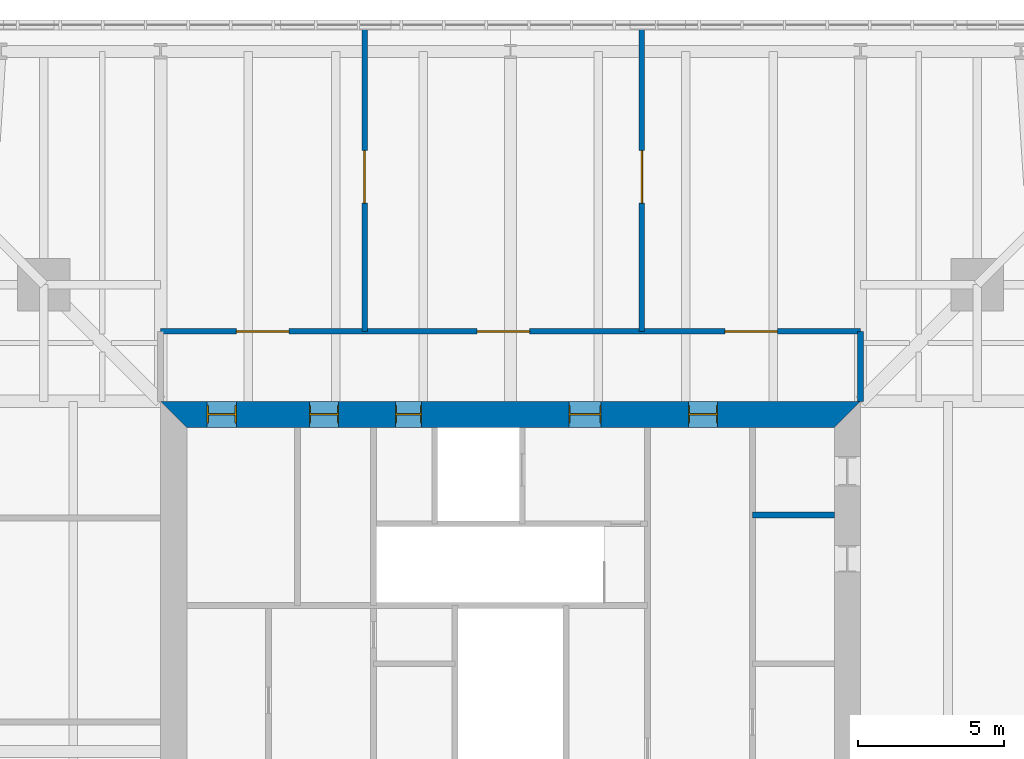
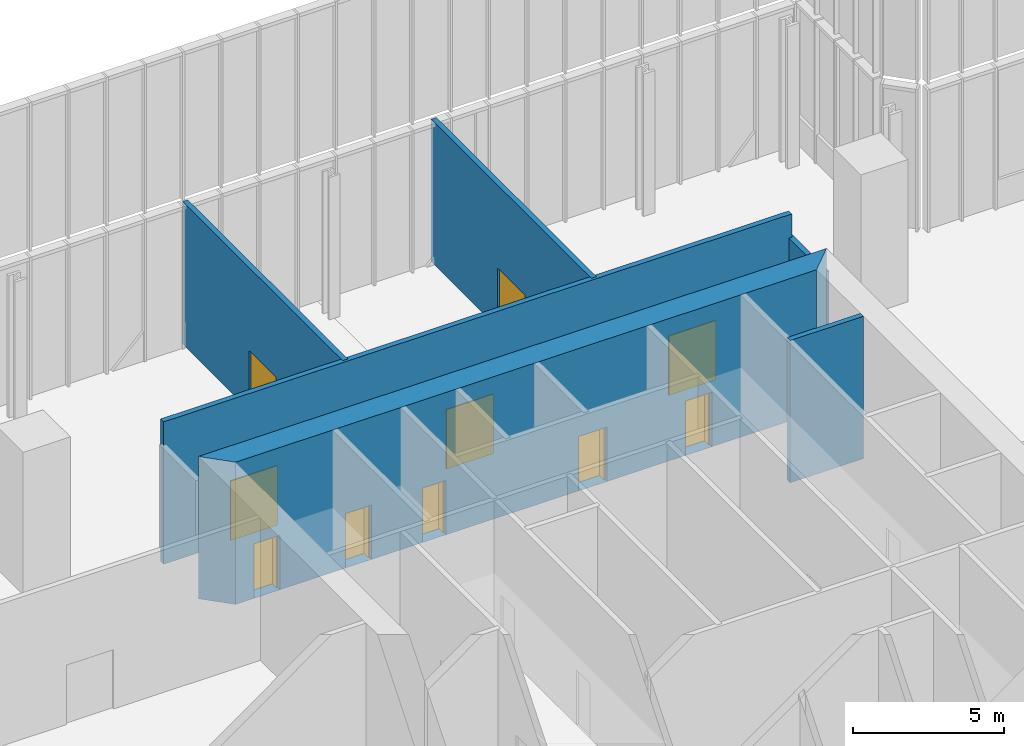
# One storey, part 19 of 25: 10 doors, 6 walls, 10 openings.
"""IFC4 building model written with IfcOpenShell, lengths in metres."""

import ifcopenshell
import ifcopenshell.guid

model = None  # the IFC model being written
_history = None  # IfcOwnerHistory: only IFC2X3 demands one
_inside = {}  # id of a spatial element -> (the spatial element, [elements in it])
_under = {}  # id of a project, library or spatial element -> (it, [spatial elements below it])
_declared = {}  # id of a project -> (the project, [libraries it declares])
_typed = {}  # id of a type object -> (the type object, [elements of that type])
_made_of = {}  # id of a material, layer set ... -> (it, [elements and type objects made of it])


def new_model(schema):
    """Start an empty IFC model of exactly this schema.

    Asked for "IFC4X3", IfcOpenShell would pick the latest addendum, in which some entities
    have other attributes; the version numbers below select the first issue.
    IFC2X3 requires an IfcOwnerHistory on every rooted entity: one is made here for all.
    """
    global model, _history
    if schema == "IFC4X3":
        model = ifcopenshell.file(schema_version=(4, 3, 0, 0))
    else:
        model = ifcopenshell.file(schema=schema)
    _inside.clear()
    _under.clear()
    _declared.clear()
    _typed.clear()
    _made_of.clear()
    _history = None
    if model.schema == "IFC2X3":
        org = make("IfcOrganization", Name="unknown")
        user = make(
            "IfcPersonAndOrganization",
            ThePerson=make("IfcPerson", FamilyName="unknown"),
            TheOrganization=org,
        )
        app = make(
            "IfcApplication",
            ApplicationDeveloper=org,
            Version="unknown",
            ApplicationFullName="unknown",
            ApplicationIdentifier="unknown",
        )
        _history = make(
            "IfcOwnerHistory",
            OwningUser=user,
            OwningApplication=app,
            ChangeAction="ADDED",
            CreationDate=0,
        )
    return model


def make(cls, **values):
    """One entity of the class cls with the attributes given. An attribute that is None is left unset."""
    return model.create_entity(
        cls, **{name: value for name, value in values.items() if value is not None}
    )


def rooted(cls, **values):
    """An entity with a GlobalId (a new one), such as an element, a storey or a relation."""
    return make(cls, GlobalId=ifcopenshell.guid.new(), OwnerHistory=_history, **values)


def si_unit(unit_type, name, prefix=None):
    """IfcSIUnit, for example si_unit("LENGTHUNIT", "METRE", prefix="MILLI")."""
    return make("IfcSIUnit", UnitType=unit_type, Prefix=prefix, Name=name)


def assignment(units):
    """IfcUnitAssignment: the units of a project."""
    return None if units is None else make("IfcUnitAssignment", Units=units)


def point(xyz):
    """IfcCartesianPoint."""
    return None if xyz is None else make("IfcCartesianPoint", Coordinates=xyz)


def direction(xyz):
    """IfcDirection."""
    return None if xyz is None else make("IfcDirection", DirectionRatios=xyz)


def frame(location, z_axis=None, x_axis=None):
    """IfcAxis2Placement3D, a coordinate frame: its origin and axes. An axis left out is left unset."""
    return make(
        "IfcAxis2Placement3D",
        Location=point(location),
        Axis=direction(z_axis),
        RefDirection=direction(x_axis),
    )


def frame_2d(location, x_axis=None):
    """IfcAxis2Placement2D, a coordinate frame in the plane: its origin and x axis."""
    return make(
        "IfcAxis2Placement2D", Location=point(location), RefDirection=direction(x_axis)
    )


def origin():
    """The frame at (0, 0, 0) with its axes left unset."""
    return frame((0.0, 0.0, 0.0))


def place(relative_to, where):
    """IfcLocalPlacement: puts the frame where relative to a parent placement (None: the world)."""
    return make(
        "IfcLocalPlacement", PlacementRelTo=relative_to, RelativePlacement=where
    )


def context(
    kind, dimensions, precision=None, world=None, true_north=None, identifier=None
):
    """IfcGeometricRepresentationContext, for example the 3D "Model" context."""
    return make(
        "IfcGeometricRepresentationContext",
        ContextIdentifier=identifier,
        ContextType=kind,
        CoordinateSpaceDimension=dimensions,
        Precision=precision,
        WorldCoordinateSystem=world,
        TrueNorth=true_north,
    )


def subcontext(parent, identifier, kind, view, scale=None):
    """IfcGeometricRepresentationSubContext, for example "Body" below "Model"."""
    return make(
        "IfcGeometricRepresentationSubContext",
        ContextIdentifier=identifier,
        ContextType=kind,
        ParentContext=parent,
        TargetScale=scale,
        TargetView=view,
    )


def project(units=None, contexts=None):
    """IfcProject with its units and contexts."""
    return rooted(
        "IfcProject",
        Name="project",
        RepresentationContexts=contexts,
        UnitsInContext=assignment(units),
    )


def spatial(cls, under=None, at=None, **own):
    """A site, building, storey or space (cls), placed at a placement, below another one or the project."""
    s = rooted(cls, ObjectPlacement=at, **own)
    if under is not None:
        _under.setdefault(under.id(), (under, []))[1].append(s)
    return s


def polyline(points):
    """IfcPolyline through the points."""
    return make("IfcPolyline", Points=[point(p) for p in points])


def profile(cls, at=None, kind="AREA", **sizes):
    """A parametric profile (cls). Its sizes go by their IFC names, for example OverallWidth=200.0."""
    return make(cls, ProfileType=kind, Position=at, **sizes)


def rectangle(**sizes):
    """IfcRectangleProfileDef."""
    return profile("IfcRectangleProfileDef", **sizes)


def outline(outer, holes=None, kind="AREA"):
    """IfcArbitraryClosedProfileDef: a profile drawn as a closed curve; with holes, ...WithVoids."""
    if holes is None:
        return make("IfcArbitraryClosedProfileDef", ProfileType=kind, OuterCurve=outer)
    return make(
        "IfcArbitraryProfileDefWithVoids",
        ProfileType=kind,
        OuterCurve=outer,
        InnerCurves=holes,
    )


def extrude(swept, where, along, depth):
    """IfcExtrudedAreaSolid: the profile swept, set in the frame where, extruded along a direction by depth."""
    return make(
        "IfcExtrudedAreaSolid",
        SweptArea=swept,
        Position=where,
        ExtrudedDirection=direction(along),
        Depth=depth,
    )


def shape(context_of_items, identifier, shape_type, items):
    """IfcShapeRepresentation: the items that make up one representation, for example the "Body"."""
    return make(
        "IfcShapeRepresentation",
        ContextOfItems=context_of_items,
        RepresentationIdentifier=identifier,
        RepresentationType=shape_type,
        Items=items,
    )


def material(Name=None, Category=None):
    """IfcMaterial."""
    return make("IfcMaterial", Name=Name, Category=Category)


def layer(
    of_material, thickness, ventilated=None, Name=None, Category=None, Priority=None
):
    """IfcMaterialLayer: one layer of a wall or slab, of a material (None: an air gap)."""
    return make(
        "IfcMaterialLayer",
        Material=of_material,
        LayerThickness=thickness,
        IsVentilated=ventilated,
        Name=Name,
        Category=Category,
        Priority=Priority,
    )


def layer_set(layers, Name=None):
    """IfcMaterialLayerSet."""
    return make("IfcMaterialLayerSet", MaterialLayers=layers, LayerSetName=Name)


def made_of(thing, what):
    """Note that an element or type object is made of a material, layer set ...; save() writes the relation."""
    if what is not None:
        _made_of.setdefault(what.id(), (what, []))[1].append(thing)
    return thing


def type_object(cls, material=None, **own):
    """A type object (cls), such as IfcWallType, which elements share."""
    return made_of(rooted(cls, **own), material)


def element(
    cls,
    number,
    at=None,
    inside=None,
    cuts=None,
    type_object=None,
    material=None,
    context=None,
    identifier="Body",
    shape_type=None,
    held_by="IfcProductDefinitionShape",
    body=None,
    shapes=None,
    **own,
):
    """One element of the class cls, such as IfcWall. Its Tag is "e" and its number.

    at: its placement. inside: the storey or other place that contains it. cuts: it is an
    opening in that element (IfcRelVoidsElement). A single representation is given by context,
    identifier, shape_type and body (its items); several are given by shapes. held_by: the class
    of the entity that holds the representations. save() writes the other relations.
    """
    e = rooted(cls, Tag="e%d" % number, ObjectPlacement=at, **own)
    if body is not None:
        shapes = [shape(context, identifier, shape_type, body)]
    if shapes is not None:
        e.Representation = make(held_by, Representations=shapes)
    if inside is not None:
        _inside.setdefault(inside.id(), (inside, []))[1].append(e)
    if cuts is not None:
        rooted(
            "IfcRelVoidsElement", RelatingBuildingElement=cuts, RelatedOpeningElement=e
        )
    if type_object is not None:
        _typed.setdefault(type_object.id(), (type_object, []))[1].append(e)
    return made_of(e, material)


def fill(opening, filler):
    """IfcRelFillsElement: the door or window that sits in an opening."""
    return rooted(
        "IfcRelFillsElement",
        RelatingOpeningElement=opening,
        RelatedBuildingElement=filler,
    )


def aggregate(whole, parts):
    """IfcRelAggregates: a whole, such as a stair, and the parts it consists of."""
    return rooted("IfcRelAggregates", RelatingObject=whole, RelatedObjects=parts)


def save(model, path):
    """Write the relations noted so far, then the file.

    IfcRelAggregates (storeys below a building ...), IfcRelContainedInSpatialStructure (elements
    in a storey), IfcRelDefinesByType, IfcRelAssociatesMaterial and IfcRelDeclares: one each for
    every whole, place, type object, material and project.
    """
    for whole, parts in _under.values():
        aggregate(whole, parts)
    for where, things in _inside.values():
        rooted(
            "IfcRelContainedInSpatialStructure",
            RelatedElements=things,
            RelatingStructure=where,
        )
    for kind, things in _typed.values():
        rooted("IfcRelDefinesByType", RelatedObjects=things, RelatingType=kind)
    for what, things in _made_of.values():
        rooted("IfcRelAssociatesMaterial", RelatedObjects=things, RelatingMaterial=what)
    for by, libraries in _declared.values():
        rooted("IfcRelDeclares", RelatingContext=by, RelatedDefinitions=libraries)
    model.write(path)


model = new_model("IFC4")

# Units and contexts
model_context = context("Model", 3, precision=1e-05, world=origin(), true_north=direction((0.0, 1.0)))
body_context = subcontext(model_context, "Body", "Model", "MODEL_VIEW")
ifc_project = project(units=[si_unit("LENGTHUNIT", "METRE"), si_unit("AREAUNIT", "SQUARE_METRE"), si_unit("VOLUMEUNIT", "CUBIC_METRE"), si_unit("PLANEANGLEUNIT", "RADIAN"), si_unit("MASSUNIT", "GRAM", prefix="KILO")], contexts=[model_context])

# Site, building, storey
site_placement = place(None, origin())
site = spatial("IfcSite", under=ifc_project, at=site_placement, CompositionType="ELEMENT")
building_placement = place(site_placement, origin())
building = spatial("IfcBuilding", under=site, at=building_placement, Name="Fenwick Lantern Interchange", CompositionType="ELEMENT")
storey_placement = place(building_placement, frame((0.0, 0.0, 307.800048828125)))
storey = spatial("IfcBuildingStorey", under=building, at=storey_placement, Name="L74", CompositionType="ELEMENT", Elevation=307.800048828125)

# Wall
ifc_material_1 = material(Name="Concrete masonry ASTM C90 Grade N", Category="masonry")
ifc_layer_1 = layer(ifc_material_1, 0.199951171875)
ifc_layer_set_1 = layer_set([ifc_layer_1], Name="Concrete masonry ASTM C90 Grade N")
wall_type_1 = type_object("IfcWallType", Name="CORE PARTITION 200", PredefinedType="PARTITIONING", material=ifc_layer_set_1)
wall_1_placement = place(storey_placement, frame((36.10009765625, 33.10009765625, 0.0), z_axis=(0.0, 0.0, 1.0), x_axis=(-1.0, 0.0, 0.0)))
element("IfcWall", 1, at=wall_1_placement, inside=storey, type_object=wall_type_1, Name="L74/W/COREN/p1", PredefinedType="PARTITIONING", context=body_context, shape_type="SweptSolid", body=[
    extrude(rectangle(XDim=2.800048828125, YDim=0.199951171875, at=frame_2d((1.39990234375, 0.0))), origin(), (0.0, 0.0, 1.0), 5.75),
])

# Wall, openings, doors
ifc_material_2 = material(Name="Concrete f'c 70 MPa", Category="concrete")
ifc_layer_2 = layer(ifc_material_2, 0.89990234375)
ifc_layer_set_2 = layer_set([ifc_layer_2], Name="CORE WALL 900")
wall_type_2 = type_object("IfcWallType", Name="CORE WALL 900", PredefinedType="SHEAR", material=ifc_layer_set_2)
wall_2_placement = place(storey_placement, frame((37.0, 36.550048828125, 0.0), z_axis=(0.0, 0.0, 1.0), x_axis=(-1.0, 0.0, 0.0)))
wall_2 = element("IfcWall", 2, at=wall_2_placement, inside=storey, type_object=wall_type_2, Name="L74/CORE/N", PredefinedType="SHEAR", context=body_context, shape_type="SweptSolid", body=[
    extrude(outline(polyline([(0.0, -0.449951171875), (24.0, -0.449951171875), (23.10009765625, 0.449951171875), (0.89990234375, 0.449951171875), (0.0, -0.449951171875)])), origin(), (0.0, 0.0, 1.0), 5.75),
])
opening_1_placement = place(wall_2_placement, frame((4.89990234375, 0.0, 0.0)))
opening_1 = element("IfcOpeningElement", 3, at=opening_1_placement, cuts=wall_2, Name="Opening L74-D013", PredefinedType="OPENING", context=body_context, shape_type="SweptSolid", body=[
    extrude(rectangle(XDim=1.0, YDim=2.199951171875, at=frame_2d((0.5, 1.10009765625))), frame((0.0, 0.4599609375, 0.0), z_axis=(0.0, -1.0, 0.0), x_axis=(1.0, 0.0, 0.0)), (0.0, 0.0, 1.0), 0.919921875),
])
opening_2_placement = place(wall_2_placement, frame((8.89990234375, 0.0, 0.0)))
opening_2 = element("IfcOpeningElement", 4, at=opening_2_placement, cuts=wall_2, Name="Opening L74-D014", PredefinedType="OPENING", context=body_context, shape_type="SweptSolid", body=[
    extrude(rectangle(XDim=1.10009765625, YDim=2.199951171875, at=frame_2d((0.550048828125, 1.10009765625))), frame((0.0, 0.4599609375, 0.0), z_axis=(0.0, -1.0, 0.0), x_axis=(1.0, 0.0, 0.0)), (0.0, 0.0, 1.0), 0.919921875),
])
opening_3_placement = place(wall_2_placement, frame((15.050048828125, 0.0, 0.0)))
opening_3 = element("IfcOpeningElement", 5, at=opening_3_placement, cuts=wall_2, Name="Opening L74-D016", PredefinedType="OPENING", context=body_context, shape_type="SweptSolid", body=[
    extrude(rectangle(XDim=0.89990234375, YDim=2.199951171875, at=frame_2d((0.449951171875, 1.10009765625))), frame((0.0, 0.4599609375, 0.0), z_axis=(0.0, -1.0, 0.0), x_axis=(1.0, 0.0, 0.0)), (0.0, 0.0, 1.0), 0.919921875),
])
opening_4_placement = place(wall_2_placement, frame((17.89990234375, 0.0, 0.0)))
opening_4 = element("IfcOpeningElement", 6, at=opening_4_placement, cuts=wall_2, Name="Opening L74-D017", PredefinedType="OPENING", context=body_context, shape_type="SweptSolid", body=[
    extrude(rectangle(XDim=1.0, YDim=2.199951171875, at=frame_2d((0.5, 1.10009765625))), frame((0.0, 0.4599609375, 0.0), z_axis=(0.0, -1.0, 0.0), x_axis=(1.0, 0.0, 0.0)), (0.0, 0.0, 1.0), 0.919921875),
])
opening_5_placement = place(wall_2_placement, frame((21.39990234375, 0.0, 0.0)))
opening_5 = element("IfcOpeningElement", 7, at=opening_5_placement, cuts=wall_2, Name="Opening L74-D018", PredefinedType="OPENING", context=body_context, shape_type="SweptSolid", body=[
    extrude(rectangle(XDim=1.0, YDim=2.199951171875, at=frame_2d((0.5, 1.10009765625))), frame((0.0, 0.4599609375, 0.0), z_axis=(0.0, -1.0, 0.0), x_axis=(1.0, 0.0, 0.0)), (0.0, 0.0, 1.0), 0.919921875),
])
ifc_material_3 = material(Name="Steel door and frame", Category="steel")
door_type_1 = type_object("IfcDoorType", Name="CORE LOBBY DOOR 1000 X 2200", OperationType="SINGLE_SWING_LEFT", PredefinedType="DOOR", material=ifc_material_3)
door_1_placement = place(opening_1_placement, origin())
door_1 = element("IfcDoor", 8, at=door_1_placement, inside=storey, type_object=door_type_1, Name="Core lobby door", OperationType="SINGLE_SWING_LEFT", OverallHeight=2.199951171875, OverallWidth=1.0, PredefinedType="DOOR", context=body_context, shape_type="SweptSolid", body=[
    extrude(rectangle(XDim=1.0, YDim=2.199951171875, at=frame_2d((0.5, 1.10009765625))), frame((0.0, 0.02490234375, 0.0), z_axis=(0.0, -1.0, 0.0), x_axis=(1.0, 0.0, 0.0)), (0.0, 0.0, 1.0), 0.050048828125),
    extrude(outline(polyline([(0.0, 0.0), (0.0400390625, 0.0), (0.0400390625, 2.159912109375), (0.9599609375, 2.159912109375), (0.9599609375, 0.0), (1.0, 0.0), (1.0, 2.199951171875), (0.0, 2.199951171875), (0.0, 0.0)])), frame((0.0, 0.300048828125, 0.0), z_axis=(0.0, -1.0, 0.0), x_axis=(1.0, 0.0, 0.0)), (0.0, 0.0, 1.0), 0.60009765625),
])
fill(opening_1, door_1)
door_type_2 = type_object("IfcDoorType", Name="FIRE LOBBY DOOR 1100 X 2200", OperationType="SINGLE_SWING_LEFT", PredefinedType="DOOR", material=ifc_material_3)
door_2_placement = place(opening_2_placement, origin())
door_2 = element("IfcDoor", 9, at=door_2_placement, inside=storey, type_object=door_type_2, Name="Fire lobby door", OperationType="SINGLE_SWING_LEFT", OverallHeight=2.199951171875, OverallWidth=1.10009765625, PredefinedType="DOOR", context=body_context, shape_type="SweptSolid", body=[
    extrude(rectangle(XDim=1.10009765625, YDim=2.199951171875, at=frame_2d((0.550048828125, 1.10009765625))), frame((0.0, 0.02490234375, 0.0), z_axis=(0.0, -1.0, 0.0), x_axis=(1.0, 0.0, 0.0)), (0.0, 0.0, 1.0), 0.050048828125),
    extrude(outline(polyline([(0.0, 0.0), (0.0400390625, 0.0), (0.0400390625, 2.159912109375), (1.06005859375, 2.159912109375), (1.06005859375, 0.0), (1.10009765625, 0.0), (1.10009765625, 2.199951171875), (0.0, 2.199951171875), (0.0, 0.0)])), frame((0.0, 0.300048828125, 0.0), z_axis=(0.0, -1.0, 0.0), x_axis=(1.0, 0.0, 0.0)), (0.0, 0.0, 1.0), 0.60009765625),
])
fill(opening_2, door_2)
door_type_3 = type_object("IfcDoorType", Name="SERVICE DOOR 900 X 2200", OperationType="SINGLE_SWING_LEFT", PredefinedType="DOOR", material=ifc_material_3)
door_3_placement = place(opening_3_placement, origin())
door_3 = element("IfcDoor", 10, at=door_3_placement, inside=storey, type_object=door_type_3, Name="Service door", OperationType="SINGLE_SWING_LEFT", OverallHeight=2.199951171875, OverallWidth=0.89990234375, PredefinedType="DOOR", context=body_context, shape_type="SweptSolid", body=[
    extrude(rectangle(XDim=0.89990234375, YDim=2.199951171875, at=frame_2d((0.449951171875, 1.10009765625))), frame((0.0, 0.02490234375, 0.0), z_axis=(0.0, -1.0, 0.0), x_axis=(1.0, 0.0, 0.0)), (0.0, 0.0, 1.0), 0.050048828125),
    extrude(outline(polyline([(0.0, 0.0), (0.0400390625, 0.0), (0.0400390625, 2.159912109375), (0.85986328125, 2.159912109375), (0.85986328125, 0.0), (0.89990234375, 0.0), (0.89990234375, 2.199951171875), (0.0, 2.199951171875), (0.0, 0.0)])), frame((0.0, 0.300048828125, 0.0), z_axis=(0.0, -1.0, 0.0), x_axis=(1.0, 0.0, 0.0)), (0.0, 0.0, 1.0), 0.60009765625),
])
fill(opening_3, door_3)
ifc_material_4 = material(Name="Hardwood door and steel frame", Category="steel")
door_type_4 = type_object("IfcDoorType", Name="WC DOOR 1000 X 2200", OperationType="SINGLE_SWING_LEFT", PredefinedType="DOOR", material=ifc_material_4)
door_4_placement = place(opening_4_placement, origin())
door_4 = element("IfcDoor", 11, at=door_4_placement, inside=storey, type_object=door_type_4, Name="Wc door", OperationType="SINGLE_SWING_RIGHT", OverallHeight=2.199951171875, OverallWidth=1.0, PredefinedType="DOOR", context=body_context, shape_type="SweptSolid", body=[
    extrude(rectangle(XDim=1.0, YDim=2.199951171875, at=frame_2d((0.5, 1.10009765625))), frame((0.0, 0.02490234375, 0.0), z_axis=(0.0, -1.0, 0.0), x_axis=(1.0, 0.0, 0.0)), (0.0, 0.0, 1.0), 0.050048828125),
    extrude(outline(polyline([(0.0, 0.0), (0.0400390625, 0.0), (0.0400390625, 2.159912109375), (0.9599609375, 2.159912109375), (0.9599609375, 0.0), (1.0, 0.0), (1.0, 2.199951171875), (0.0, 2.199951171875), (0.0, 0.0)])), frame((0.0, 0.300048828125, 0.0), z_axis=(0.0, -1.0, 0.0), x_axis=(1.0, 0.0, 0.0)), (0.0, 0.0, 1.0), 0.60009765625),
])
fill(opening_4, door_4)
door_5_placement = place(opening_5_placement, origin())
door_5 = element("IfcDoor", 12, at=door_5_placement, inside=storey, type_object=door_type_4, Name="Wc door", OperationType="SINGLE_SWING_RIGHT", OverallHeight=2.199951171875, OverallWidth=1.0, PredefinedType="DOOR", context=body_context, shape_type="SweptSolid", body=[
    extrude(rectangle(XDim=1.0, YDim=2.199951171875, at=frame_2d((0.5, 1.10009765625))), frame((0.0, 0.02490234375, 0.0), z_axis=(0.0, -1.0, 0.0), x_axis=(1.0, 0.0, 0.0)), (0.0, 0.0, 1.0), 0.050048828125),
    extrude(outline(polyline([(0.0, 0.0), (0.0400390625, 0.0), (0.0400390625, 2.159912109375), (0.9599609375, 2.159912109375), (0.9599609375, 0.0), (1.0, 0.0), (1.0, 2.199951171875), (0.0, 2.199951171875), (0.0, 0.0)])), frame((0.0, 0.300048828125, 0.0), z_axis=(0.0, -1.0, 0.0), x_axis=(1.0, 0.0, 0.0)), (0.0, 0.0, 1.0), 0.60009765625),
])
fill(opening_5, door_5)

ifc_layer_3 = layer(ifc_material_1, 0.199951171875)
ifc_layer_set_3 = layer_set([ifc_layer_3], Name="Concrete masonry ASTM C90 Grade N")
wall_type_3 = type_object("IfcWallType", Name="PLANT ROOM WALL 200", PredefinedType="PARTITIONING", material=ifc_layer_set_3)
wall_3_placement = place(storey_placement, frame((13.0, 39.39990234375, 0.0), z_axis=(0.0, 0.0, 1.0), x_axis=(1.0, 0.0, 0.0)))
wall_3 = element("IfcWall", 13, at=wall_3_placement, inside=storey, type_object=wall_type_3, Name="L74/W/FLOOR/PCN-W", PredefinedType="PARTITIONING", context=body_context, shape_type="SweptSolid", body=[
    extrude(rectangle(XDim=24.0, YDim=0.199951171875, at=frame_2d((12.0, 0.0))), origin(), (0.0, 0.0, 1.0), 5.75),
])
opening_6_placement = place(wall_3_placement, frame((19.35009765625, 0.0, 0.0)))
opening_6 = element("IfcOpeningElement", 14, at=opening_6_placement, cuts=wall_3, Name="Opening L74-D037", PredefinedType="OPENING", context=body_context, shape_type="SweptSolid", body=[
    extrude(rectangle(XDim=1.800048828125, YDim=2.39990234375, at=frame_2d((0.89990234375, 1.199951171875))), frame((0.0, 0.10986328125, 0.0), z_axis=(0.0, -1.0, 0.0), x_axis=(1.0, 0.0, 0.0)), (0.0, 0.0, 1.0), 0.219970703125),
])
opening_7_placement = place(wall_3_placement, frame((2.60009765625, 0.0, 0.0)))
opening_7 = element("IfcOpeningElement", 15, at=opening_7_placement, cuts=wall_3, Name="Opening L74-D038", PredefinedType="OPENING", context=body_context, shape_type="SweptSolid", body=[
    extrude(rectangle(XDim=1.800048828125, YDim=2.39990234375, at=frame_2d((0.89990234375, 1.199951171875))), frame((0.0, 0.10986328125, 0.0), z_axis=(0.0, -1.0, 0.0), x_axis=(1.0, 0.0, 0.0)), (0.0, 0.0, 1.0), 0.219970703125),
])
opening_8_placement = place(wall_3_placement, frame((10.85009765625, 0.0, 0.0)))
opening_8 = element("IfcOpeningElement", 16, at=opening_8_placement, cuts=wall_3, Name="Opening L74-D039", PredefinedType="OPENING", context=body_context, shape_type="SweptSolid", body=[
    extrude(rectangle(XDim=1.800048828125, YDim=2.39990234375, at=frame_2d((0.89990234375, 1.199951171875))), frame((0.0, 0.10986328125, 0.0), z_axis=(0.0, -1.0, 0.0), x_axis=(1.0, 0.0, 0.0)), (0.0, 0.0, 1.0), 0.219970703125),
])
door_type_5 = type_object("IfcDoorType", Name="ROOM DOOR PAIR 1800 X 2400", OperationType="DOUBLE_DOOR_SINGLE_SWING", PredefinedType="DOOR", material=ifc_material_3)
door_6_placement = place(opening_6_placement, frame((1.800048828125, 0.0, 0.0), z_axis=(0.0, 0.0, 1.0), x_axis=(-1.0, 0.0, 0.0)))
door_6 = element("IfcDoor", 17, at=door_6_placement, inside=storey, type_object=door_type_5, Name="Room door pair", OperationType="DOUBLE_DOOR_SINGLE_SWING", OverallHeight=2.39990234375, OverallWidth=1.800048828125, PredefinedType="DOOR", context=body_context, shape_type="SweptSolid", body=[
    extrude(rectangle(XDim=1.800048828125, YDim=2.39990234375, at=frame_2d((0.89990234375, 1.199951171875))), frame((0.0, 0.02490234375, 0.0), z_axis=(0.0, -1.0, 0.0), x_axis=(1.0, 0.0, 0.0)), (0.0, 0.0, 1.0), 0.050048828125),
])
fill(opening_6, door_6)
door_7_placement = place(opening_7_placement, frame((1.800048828125, 0.0, 0.0), z_axis=(0.0, 0.0, 1.0), x_axis=(-1.0, 0.0, 0.0)))
door_7 = element("IfcDoor", 18, at=door_7_placement, inside=storey, type_object=door_type_5, Name="Room door pair", OperationType="DOUBLE_DOOR_SINGLE_SWING", OverallHeight=2.39990234375, OverallWidth=1.800048828125, PredefinedType="DOOR", context=body_context, shape_type="SweptSolid", body=[
    extrude(rectangle(XDim=1.800048828125, YDim=2.39990234375, at=frame_2d((0.89990234375, 1.199951171875))), frame((0.0, 0.02490234375, 0.0), z_axis=(0.0, -1.0, 0.0), x_axis=(1.0, 0.0, 0.0)), (0.0, 0.0, 1.0), 0.050048828125),
])
fill(opening_7, door_7)
door_8_placement = place(opening_8_placement, frame((1.800048828125, 0.0, 0.0), z_axis=(0.0, 0.0, 1.0), x_axis=(-1.0, 0.0, 0.0)))
door_8 = element("IfcDoor", 19, at=door_8_placement, inside=storey, type_object=door_type_5, Name="Room door pair", OperationType="DOUBLE_DOOR_SINGLE_SWING", OverallHeight=2.39990234375, OverallWidth=1.800048828125, PredefinedType="DOOR", context=body_context, shape_type="SweptSolid", body=[
    extrude(rectangle(XDim=1.800048828125, YDim=2.39990234375, at=frame_2d((0.89990234375, 1.199951171875))), frame((0.0, 0.02490234375, 0.0), z_axis=(0.0, -1.0, 0.0), x_axis=(1.0, 0.0, 0.0)), (0.0, 0.0, 1.0), 0.050048828125),
])
fill(opening_8, door_8)

# Wall
wall_4_placement = place(storey_placement, frame((37.0, 37.0, 0.0), z_axis=(0.0, 0.0, 1.0), x_axis=(0.0, 1.0, 0.0)))
element("IfcWall", 20, at=wall_4_placement, inside=storey, type_object=wall_type_3, Name="L74/W/FLOOR/PCN-B", PredefinedType="PARTITIONING", context=body_context, shape_type="SweptSolid", body=[
    extrude(rectangle(XDim=2.39990234375, YDim=0.199951171875, at=frame_2d((1.199951171875, 0.0))), origin(), (0.0, 0.0, 1.0), 4.802490234375),
])

# Wall, opening, door
wall_5_placement = place(storey_placement, frame((20.0, 39.39990234375, 0.0), z_axis=(0.0, 0.0, 1.0), x_axis=(0.0, 1.0, 0.0)))
wall_5 = element("IfcWall", 21, at=wall_5_placement, inside=storey, type_object=wall_type_3, Name="L74/W/FLOOR/PW6", PredefinedType="PARTITIONING", context=body_context, shape_type="SweptSolid", body=[
    extrude(rectangle(XDim=10.60009765625, YDim=0.199951171875, at=frame_2d((5.300048828125, 0.0))), origin(), (0.0, 0.0, 1.0), 5.75),
])
opening_9_placement = place(wall_5_placement, frame((4.39990234375, 0.0, 0.0)))
opening_9 = element("IfcOpeningElement", 22, at=opening_9_placement, cuts=wall_5, Name="Opening L74-D029", PredefinedType="OPENING", context=body_context, shape_type="SweptSolid", body=[
    extrude(rectangle(XDim=1.800048828125, YDim=2.39990234375, at=frame_2d((0.89990234375, 1.199951171875))), frame((0.0, 0.10986328125, 0.0), z_axis=(0.0, -1.0, 0.0), x_axis=(1.0, 0.0, 0.0)), (0.0, 0.0, 1.0), 0.219970703125),
])
door_9_placement = place(opening_9_placement, frame((1.800048828125, 0.0, 0.0), z_axis=(0.0, 0.0, 1.0), x_axis=(-1.0, 0.0, 0.0)))
door_9 = element("IfcDoor", 23, at=door_9_placement, inside=storey, type_object=door_type_5, Name="Room door pair", OperationType="DOUBLE_DOOR_SINGLE_SWING", OverallHeight=2.39990234375, OverallWidth=1.800048828125, PredefinedType="DOOR", context=body_context, shape_type="SweptSolid", body=[
    extrude(rectangle(XDim=1.800048828125, YDim=2.39990234375, at=frame_2d((0.89990234375, 1.199951171875))), frame((0.0, 0.02490234375, 0.0), z_axis=(0.0, -1.0, 0.0), x_axis=(1.0, 0.0, 0.0)), (0.0, 0.0, 1.0), 0.050048828125),
])
fill(opening_9, door_9)

wall_6_placement = place(storey_placement, frame((29.5, 39.39990234375, 0.0), z_axis=(0.0, 0.0, 1.0), x_axis=(0.0, 1.0, 0.0)))
wall_6 = element("IfcWall", 24, at=wall_6_placement, inside=storey, type_object=wall_type_3, Name="L74/W/FLOOR/PW7", PredefinedType="PARTITIONING", context=body_context, shape_type="SweptSolid", body=[
    extrude(rectangle(XDim=10.60009765625, YDim=0.199951171875, at=frame_2d((5.300048828125, 0.0))), origin(), (0.0, 0.0, 1.0), 5.75),
])
opening_10_placement = place(wall_6_placement, frame((4.39990234375, 0.0, 0.0)))
opening_10 = element("IfcOpeningElement", 25, at=opening_10_placement, cuts=wall_6, Name="Opening L74-D030", PredefinedType="OPENING", context=body_context, shape_type="SweptSolid", body=[
    extrude(rectangle(XDim=1.800048828125, YDim=2.39990234375, at=frame_2d((0.89990234375, 1.199951171875))), frame((0.0, 0.10986328125, 0.0), z_axis=(0.0, -1.0, 0.0), x_axis=(1.0, 0.0, 0.0)), (0.0, 0.0, 1.0), 0.219970703125),
])
door_10_placement = place(opening_10_placement, origin())
door_10 = element("IfcDoor", 26, at=door_10_placement, inside=storey, type_object=door_type_5, Name="Room door pair", OperationType="DOUBLE_DOOR_SINGLE_SWING", OverallHeight=2.39990234375, OverallWidth=1.800048828125, PredefinedType="DOOR", context=body_context, shape_type="SweptSolid", body=[
    extrude(rectangle(XDim=1.800048828125, YDim=2.39990234375, at=frame_2d((0.89990234375, 1.199951171875))), frame((0.0, 0.02490234375, 0.0), z_axis=(0.0, -1.0, 0.0), x_axis=(1.0, 0.0, 0.0)), (0.0, 0.0, 1.0), 0.050048828125),
])
fill(opening_10, door_10)

save(model, "model.ifc")
